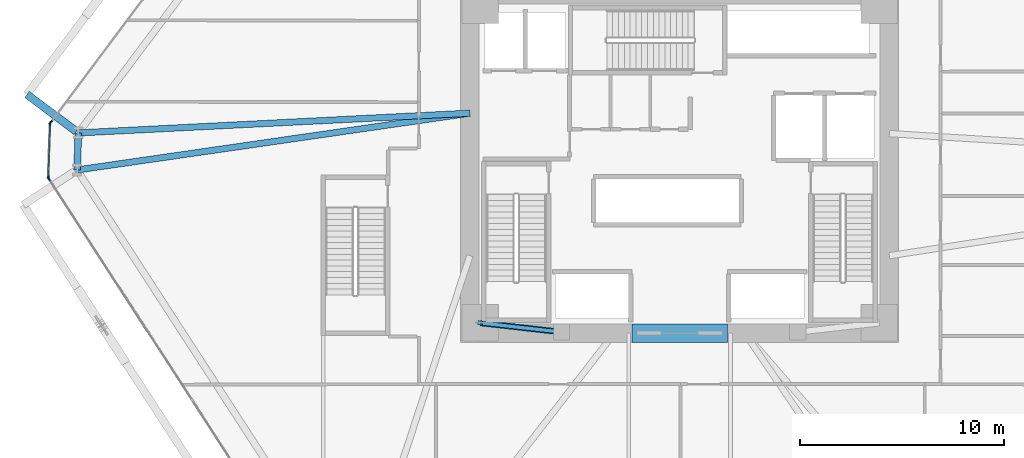
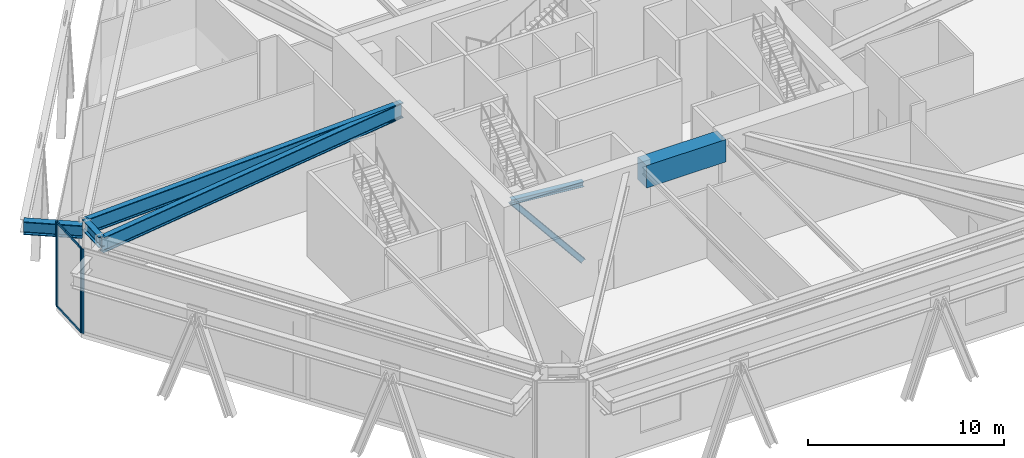
# One storey, part 4 of 23: 7 members, 6 beams, 3 elements without a shape of their own.
"""IFC4 building model written with IfcOpenShell, lengths in metres."""

from ifc_helpers import new_model, si_unit, direction, frame, origin, origin_2d, place, context, subcontext, project, spatial, rectangle, i_section, extrude, source, transform, mapped, material, layer, layer_set, material_profile, profile_set, type_object, type_shapes, element, aggregate, save


model = new_model("IFC4")

# Units and contexts
model_context = context("Model", 3, precision=1e-05, world=origin(), true_north=direction((0.0, 1.0)))
body_context = subcontext(model_context, "Body", "Model", "MODEL_VIEW")
ifc_project = project(units=[si_unit("LENGTHUNIT", "METRE"), si_unit("AREAUNIT", "SQUARE_METRE"), si_unit("VOLUMEUNIT", "CUBIC_METRE"), si_unit("PLANEANGLEUNIT", "RADIAN"), si_unit("MASSUNIT", "GRAM", prefix="KILO")], contexts=[model_context])

# Site, building, storey
site_placement = place(None, origin())
site = spatial("IfcSite", under=ifc_project, at=site_placement, CompositionType="ELEMENT")
building_placement = place(site_placement, origin())
building = spatial("IfcBuilding", under=site, at=building_placement, Name="Durnholm Broadcast Tower", CompositionType="ELEMENT")
storey_placement = place(building_placement, frame((0.0, 0.0, 21.199951171875)))
storey = spatial("IfcBuildingStorey", under=building, at=storey_placement, Name="L04", CompositionType="ELEMENT", Elevation=21.199951171875)

# Beams
ifc_material_1 = material(Name="Concrete C70/85", Category="concrete")
ifc_material_profile_1 = material_profile(ifc_material_1, rectangle(XDim=0.89990234375, YDim=1.39990234375, at=origin_2d()), Name="RC900X1400")
ifc_profile_set_1 = profile_set([ifc_material_profile_1], Name="Concrete C70/85")
beam_type_1 = type_object("IfcBeamType", Name="BM-CB-RC1400", PredefinedType="LINTEL", material=ifc_profile_set_1)
shared_shape_1 = source(origin(), body_context, "Body", "SweptSolid", [
    extrude(rectangle(XDim=0.89990234375, YDim=1.39990234375, at=origin_2d()), origin(), (0.0, 0.0, 1.0), 4.7001953125),
])
type_shapes(beam_type_1, [shared_shape_1])
beam_1_placement = place(storey_placement, frame((-2.35009765625, -8.300048828125, 4.574951171875), z_axis=(1.0, 0.0, 0.0), x_axis=(0.0, 1.0, 0.0)))
element("IfcBeam", 1, at=beam_1_placement, inside=storey, type_object=beam_type_1, Name="L04 south core coupling lintel beam CB-S", PredefinedType="LINTEL", context=body_context, shape_type="MappedRepresentation", body=[
    mapped(shared_shape_1, transform((0.0, 0.0, 0.0), x_axis=(1.0, 0.0, 0.0), y_axis=(0.0, 1.0, 0.0), z_axis=(0.0, 0.0, 1.0), scale=1.0)),
])
ifc_material_2 = material(Name="Steel ASTM A992 Grade 50", Category="steel")
ifc_material_profile_2 = material_profile(ifc_material_2, i_section(OverallWidth=0.3330078125, OverallDepth=0.660888671875, WebThickness=0.0244140625, FlangeThickness=0.0439453125, FilletRadius=0.02783203125, at=origin_2d()), Name="W24X229")
ifc_profile_set_2 = profile_set([ifc_material_profile_2], Name="Steel ASTM A992 Grade 50")
beam_type_2 = type_object("IfcBeamType", Name="STL-SP-W24X229", PredefinedType="SPANDREL", material=ifc_profile_set_2)
shared_shape_2 = source(origin(), body_context, "Body", "SweptSolid", [
    extrude(i_section(OverallWidth=0.3330078125, OverallDepth=0.660888671875, WebThickness=0.0244140625, FlangeThickness=0.0439453125, FilletRadius=0.02783203125, at=origin_2d()), origin(), (0.0, 0.0, 1.0), 1.820068359375),
])
type_shapes(beam_type_2, [shared_shape_2])
beam_2_placement = place(storey_placement, frame((-29.590576171875, -0.28857421875, 4.9345703125), z_axis=(0.033667655889, 0.999433083776, 0.0), x_axis=(-0.999433083776, 0.033667655889, 0.0)))
element("IfcBeam", 2, at=beam_2_placement, inside=storey, type_object=beam_type_2, Name="L04 perimeter spandrel girder 02", PredefinedType="SPANDREL", context=body_context, shape_type="MappedRepresentation", body=[
    mapped(shared_shape_2, transform((0.0, 0.0, 0.0), x_axis=(1.0, 0.0, 0.0), y_axis=(0.0, 1.0, 0.0), z_axis=(0.0, 0.0, 1.0), scale=1.0)),
])
ifc_material_profile_3 = material_profile(ifc_material_2, i_section(OverallWidth=0.3046875, OverallDepth=0.307861328125, WebThickness=0.010009765625, FlangeThickness=0.015380859375, FilletRadius=0.019287109375, at=origin_2d()), Name="W12X65")
ifc_profile_set_3 = profile_set([ifc_material_profile_3], Name="Steel ASTM A992 Grade 50")
beam_type_3 = type_object("IfcBeamType", Name="STL-BL-W12X65", PredefinedType="LINTEL", material=ifc_profile_set_3)
shared_shape_3 = source(origin(), body_context, "Body", "SweptSolid", [
    extrude(i_section(OverallWidth=0.3046875, OverallDepth=0.307861328125, WebThickness=0.010009765625, FlangeThickness=0.015380859375, FilletRadius=0.019287109375, at=origin_2d()), origin(), (0.0, 0.0, 1.0), 4.025146484375),
])
type_shapes(beam_type_3, [shared_shape_3])
beam_3_placement = place(storey_placement, frame((-5.800048828125, -8.25, 5.111083984375), z_axis=(-0.993732663715, 0.111782794142, 0.0), x_axis=(-0.111782794142, -0.993732663715, 0.0)))
element("IfcBeam", 3, at=beam_3_placement, inside=storey, type_object=beam_type_3, Name="L04 west pilaster tie lintel", PredefinedType="LINTEL", context=body_context, shape_type="MappedRepresentation", body=[
    mapped(shared_shape_3, transform((0.0, 0.0, 0.0), x_axis=(1.0, 0.0, 0.0), y_axis=(0.0, 1.0, 0.0), z_axis=(0.0, 0.0, 1.0), scale=1.0)),
])
ifc_material_profile_4 = material_profile(ifc_material_2, i_section(OverallWidth=0.385009765625, OverallDepth=0.802978515625, WebThickness=0.023681640625, FlangeThickness=0.0419921875, FilletRadius=0.032958984375, at=origin_2d()), Name="W30X261")
ifc_profile_set_4 = profile_set([ifc_material_profile_4], Name="Steel ASTM A992 Grade 50")
beam_type_4 = type_object("IfcBeamType", Name="BM-EXO-TIE", PredefinedType="USERDEFINED", material=ifc_profile_set_4)
shared_shape_4 = source(origin(), body_context, "Body", "SweptSolid", [
    extrude(i_section(OverallWidth=0.385009765625, OverallDepth=0.802978515625, WebThickness=0.023681640625, FlangeThickness=0.0419921875, FilletRadius=0.032958984375, at=origin_2d()), origin(), (0.0, 0.0, 1.0), 3.024169921875),
])
type_shapes(beam_type_4, [shared_shape_4])
beam_4_placement = place(storey_placement, frame((-29.63037109375, 1.60595703125, 4.528564453125), z_axis=(-0.800609912919, 0.599185920509, 0.0), x_axis=(-0.599185920509, -0.800609912919, 0.0)))
element("IfcBeam", 4, at=beam_4_placement, inside=storey, type_object=beam_type_4, Name="L04 exoskeleton stand-off tie bracket F5.2", ObjectType="GIRDER", PredefinedType="USERDEFINED", context=body_context, shape_type="MappedRepresentation", body=[
    mapped(shared_shape_4, transform((0.0, 0.0, 0.0), x_axis=(1.0, 0.0, 0.0), y_axis=(0.0, 1.0, 0.0), z_axis=(0.0, 0.0, 1.0), scale=1.0)),
])
ifc_material_profile_5 = material_profile(ifc_material_2, i_section(OverallWidth=0.310302734375, OverallDepth=0.950439453125, WebThickness=0.0244140625, FlangeThickness=0.0439453125, FilletRadius=0.0380859375, at=origin_2d()), Name="W36X256")
ifc_profile_set_5 = profile_set([ifc_material_profile_5], Name="Steel ASTM A992 Grade 50")
beam_type_5 = type_object("IfcBeamType", Name="STL-GR-W36X256", PredefinedType="USERDEFINED", material=ifc_profile_set_5)
shared_shape_5 = source(origin(), body_context, "Body", "SweptSolid", [
    extrude(i_section(OverallWidth=0.310302734375, OverallDepth=0.950439453125, WebThickness=0.0244140625, FlangeThickness=0.0439453125, FilletRadius=0.0380859375, at=origin_2d()), origin(), (0.0, 0.0, 1.0), 19.490966796875),
])
beam_5_placement = place(storey_placement, frame((-10.300048828125, 2.5, 4.789794921875), z_axis=(-0.989712636446, -0.143069553921, 0.0), x_axis=(0.143069553921, -0.989712636446, 0.0)))
element("IfcBeam", 5, at=beam_5_placement, inside=storey, type_object=beam_type_5, Name="L04 radial primary floor girder 02", ObjectType="GIRDER", PredefinedType="USERDEFINED", context=body_context, shape_type="MappedRepresentation", body=[
    mapped(shared_shape_5, transform((0.0, 0.0, 0.0), x_axis=(1.0, 0.0, 0.0), y_axis=(0.0, 1.0, 0.0), z_axis=(0.0, 0.0, 1.0), scale=1.0)),
])
shared_shape_6 = source(origin(), body_context, "Body", "SweptSolid", [
    extrude(i_section(OverallWidth=0.310302734375, OverallDepth=0.950439453125, WebThickness=0.0244140625, FlangeThickness=0.0439453125, FilletRadius=0.0380859375, at=origin_2d()), origin(), (0.0, 0.0, 1.0), 19.253662109375),
])
type_shapes(beam_type_5, [shared_shape_5, shared_shape_6])
beam_6_placement = place(storey_placement, frame((-10.300048828125, 2.5, 4.789794921875), z_axis=(-0.998731477139, -0.050353118796, 0.0), x_axis=(0.050353118796, -0.998731477139, 0.0)))
element("IfcBeam", 6, at=beam_6_placement, inside=storey, type_object=beam_type_5, Name="L04 radial primary floor girder 03", ObjectType="GIRDER", PredefinedType="USERDEFINED", context=body_context, shape_type="MappedRepresentation", body=[
    mapped(shared_shape_6, transform((0.0, 0.0, 0.0), x_axis=(1.0, 0.0, 0.0), y_axis=(0.0, 1.0, 0.0), z_axis=(0.0, 0.0, 1.0), scale=1.0)),
])

# Member
ifc_material_profile_6 = material_profile(ifc_material_2, i_section(OverallWidth=0.205078125, OverallDepth=0.3095703125, WebThickness=0.009521484375, FlangeThickness=0.016357421875, FilletRadius=0.019287109375, at=origin_2d()), Name="W12X50")
ifc_profile_set_6 = profile_set([ifc_material_profile_6], Name="Steel ASTM A992 Grade 50")
member_type_1 = type_object("IfcMemberType", Name="STL-STG-W12X50", PredefinedType="STRINGER", material=ifc_profile_set_6)
shared_shape_7 = source(origin(), body_context, "Body", "SweptSolid", [
    extrude(i_section(OverallWidth=0.205078125, OverallDepth=0.3095703125, WebThickness=0.009521484375, FlangeThickness=0.016357421875, FilletRadius=0.019287109375, at=origin_2d()), origin(), (0.0, 0.0, 1.0), 6.311279296875),
])
type_shapes(member_type_1, [shared_shape_7])
member_1_placement = place(storey_placement, frame((-5.800048828125, -8.25, 0.25), z_axis=(-0.63378316487, 0.071292869437, 0.770218298079), x_axis=(-0.111782794142, -0.993732663715, 0.0)))
element("IfcMember", 7, at=member_1_placement, inside=storey, type_object=member_type_1, Name="L04 core gallery steel stringer brace", PredefinedType="STRINGER", context=body_context, shape_type="MappedRepresentation", body=[
    mapped(shared_shape_7, transform((0.0, 0.0, 0.0), x_axis=(1.0, 0.0, 0.0), y_axis=(0.0, 1.0, 0.0), z_axis=(0.0, 0.0, 1.0), scale=1.0)),
])

# Curtain wall, members
ifc_material_3 = material(Name="Aluminium and Solar Control IGU", Category="aluminium")
ifc_layer_1 = layer(ifc_material_3, 0.1650390625)
ifc_layer_set_1 = layer_set([ifc_layer_1], Name="Aluminium and Solar Control IGU")
curtain_wall_type_1 = type_object("IfcCurtainWallType", Name="CW-SYS-5", PredefinedType="NOTDEFINED", material=ifc_layer_set_1)
curtain_wall_1_placement = place(storey_placement, origin())
curtain_wall_1 = element("IfcCurtainWall", 8, at=curtain_wall_1_placement, inside=storey, type_object=curtain_wall_type_1, Name="L04 curtain wall CW-CORNER CW-L04-CRN-01", PredefinedType="NOTDEFINED")
ifc_material_4 = material(Name="Aluminium 6063-T6", Category="aluminium")
ifc_material_profile_7 = material_profile(ifc_material_4, rectangle(XDim=0.06494140625, YDim=0.1298828125, at=origin_2d()), Name="CWT65X130")
ifc_profile_set_7 = profile_set([ifc_material_profile_7], Name="Aluminium 6063-T6")
member_type_2 = type_object("IfcMemberType", Name="CW-SYS-5-TRN", PredefinedType="USERDEFINED", material=ifc_profile_set_7)
shared_shape_8 = source(origin(), body_context, "Body", "SweptSolid", [
    extrude(rectangle(XDim=0.06494140625, YDim=0.1298828125, at=origin_2d()), origin(), (0.0, 0.0, 1.0), 2.570068359375),
])
type_shapes(member_type_2, [shared_shape_8])
member_2_placement = place(storey_placement, frame((-31.002197265625, -0.616455078125, 0.032470703125), z_axis=(0.033533074398, 0.999437608319, 0.0), x_axis=(-0.999437608319, 0.033533074398, 0.0)))
member_2 = element("IfcMember", 9, at=member_2_placement, type_object=member_type_2, Name="CW-CORNER transom 1.1", ObjectType="TRANSOM", PredefinedType="USERDEFINED", context=body_context, shape_type="MappedRepresentation", body=[
    mapped(shared_shape_8, transform((0.0, 0.0, 0.0), x_axis=(1.0, 0.0, 0.0), y_axis=(0.0, 1.0, 0.0), z_axis=(0.0, 0.0, 1.0), scale=1.0)),
])
member_3_placement = place(storey_placement, frame((-31.002197265625, -0.616455078125, 5.24755859375), z_axis=(0.033533074398, 0.999437608319, 0.0), x_axis=(-0.999437608319, 0.033533074398, 0.0)))
member_3 = element("IfcMember", 10, at=member_3_placement, type_object=member_type_2, Name="CW-CORNER transom 1.2", ObjectType="TRANSOM", PredefinedType="USERDEFINED", context=body_context, shape_type="MappedRepresentation", body=[
    mapped(shared_shape_8, transform((0.0, 0.0, 0.0), x_axis=(1.0, 0.0, 0.0), y_axis=(0.0, 1.0, 0.0), z_axis=(0.0, 0.0, 1.0), scale=1.0)),
])
ifc_material_profile_8 = material_profile(ifc_material_4, rectangle(XDim=0.06494140625, YDim=0.1650390625, at=origin_2d()), Name="CWM65X165")
ifc_profile_set_8 = profile_set([ifc_material_profile_8], Name="Aluminium 6063-T6")
member_type_3 = type_object("IfcMemberType", Name="CW-SYS-5-MUL", PredefinedType="MULLION", material=ifc_profile_set_8)
shared_shape_9 = source(origin(), body_context, "Body", "SweptSolid", [
    extrude(rectangle(XDim=0.06494140625, YDim=0.1650390625, at=origin_2d()), origin(), (0.0, 0.0, 1.0), 5.280029296875),
])
type_shapes(member_type_3, [shared_shape_9])
member_4_placement = place(storey_placement, frame((-31.00341796875, -0.64892578125, 0.0), z_axis=(0.0, 0.0, 1.0), x_axis=(-0.999436820621, 0.033556543118, 0.0)))
member_4 = element("IfcMember", 11, at=member_4_placement, type_object=member_type_3, Name="CW-CORNER mullion 1", PredefinedType="MULLION", context=body_context, shape_type="MappedRepresentation", body=[
    mapped(shared_shape_9, transform((0.0, 0.0, 0.0), x_axis=(1.0, 0.0, 0.0), y_axis=(0.0, 1.0, 0.0), z_axis=(0.0, 0.0, 1.0), scale=1.0)),
])
member_5_placement = place(storey_placement, frame((-30.9150390625, 1.984619140625, 0.0), z_axis=(0.0, 0.0, 1.0), x_axis=(-0.999436820621, 0.033556543118, 0.0)))
member_5 = element("IfcMember", 12, at=member_5_placement, type_object=member_type_3, Name="CW-CORNER mullion 2", PredefinedType="MULLION", context=body_context, shape_type="MappedRepresentation", body=[
    mapped(shared_shape_9, transform((0.0, 0.0, 0.0), x_axis=(1.0, 0.0, 0.0), y_axis=(0.0, 1.0, 0.0), z_axis=(0.0, 0.0, 1.0), scale=1.0)),
])
aggregate(curtain_wall_1, [member_4, member_5, member_2, member_3])

# Curtain wall, member
ifc_layer_2 = layer(ifc_material_3, 0.219970703125)
ifc_layer_set_2 = layer_set([ifc_layer_2], Name="Aluminium and Solar Control IGU")
curtain_wall_type_2 = type_object("IfcCurtainWallType", Name="CW-SYS-2", PredefinedType="NOTDEFINED", material=ifc_layer_set_2)
curtain_wall_2_placement = place(storey_placement, origin())
curtain_wall_2 = element("IfcCurtainWall", 13, at=curtain_wall_2_placement, inside=storey, type_object=curtain_wall_type_2, Name="L04 curtain wall CW-STUDIO CW-L04-F02", PredefinedType="NOTDEFINED")
ifc_material_profile_9 = material_profile(ifc_material_4, rectangle(XDim=0.074951171875, YDim=0.219970703125, at=origin_2d()), Name="CWM75X220")
ifc_profile_set_9 = profile_set([ifc_material_profile_9], Name="Aluminium 6063-T6")
member_type_4 = type_object("IfcMemberType", Name="CW-SYS-2-MUL", PredefinedType="MULLION", material=ifc_profile_set_9)
shared_shape_10 = source(origin(), body_context, "Body", "SweptSolid", [
    extrude(rectangle(XDim=0.074951171875, YDim=0.219970703125, at=origin_2d()), origin(), (0.0, 0.0, 1.0), 5.280029296875),
])
type_shapes(member_type_4, [shared_shape_10])
member_6_placement = place(storey_placement, frame((-30.891357421875, 2.047119140625, 0.0), z_axis=(0.0, 0.0, 1.0), x_axis=(-0.800631836327, 0.59915662615, 0.0)))
member_6 = element("IfcMember", 14, at=member_6_placement, type_object=member_type_4, Name="CW-STUDIO mullion 1", PredefinedType="MULLION", context=body_context, shape_type="MappedRepresentation", body=[
    mapped(shared_shape_10, transform((0.0, 0.0, 0.0), x_axis=(1.0, 0.0, 0.0), y_axis=(0.0, 1.0, 0.0), z_axis=(0.0, 0.0, 1.0), scale=1.0)),
])
aggregate(curtain_wall_2, [member_6])

curtain_wall_3_placement = place(storey_placement, origin())
curtain_wall_3 = element("IfcCurtainWall", 15, at=curtain_wall_3_placement, inside=storey, type_object=curtain_wall_type_2, Name="L04 curtain wall CW-STUDIO CW-L04-F12", PredefinedType="NOTDEFINED")
member_7_placement = place(storey_placement, frame((-30.984130859375, -0.712646484375, 0.0), z_axis=(0.0, 0.0, 1.0), x_axis=(-0.839009373297, -0.544116964926, 0.0)))
member_7 = element("IfcMember", 16, at=member_7_placement, type_object=member_type_4, Name="CW-STUDIO mullion 3", PredefinedType="MULLION", context=body_context, shape_type="MappedRepresentation", body=[
    mapped(shared_shape_10, transform((0.0, 0.0, 0.0), x_axis=(1.0, 0.0, 0.0), y_axis=(0.0, 1.0, 0.0), z_axis=(0.0, 0.0, 1.0), scale=1.0)),
])
aggregate(curtain_wall_3, [member_7])

save(model, "model.ifc")
